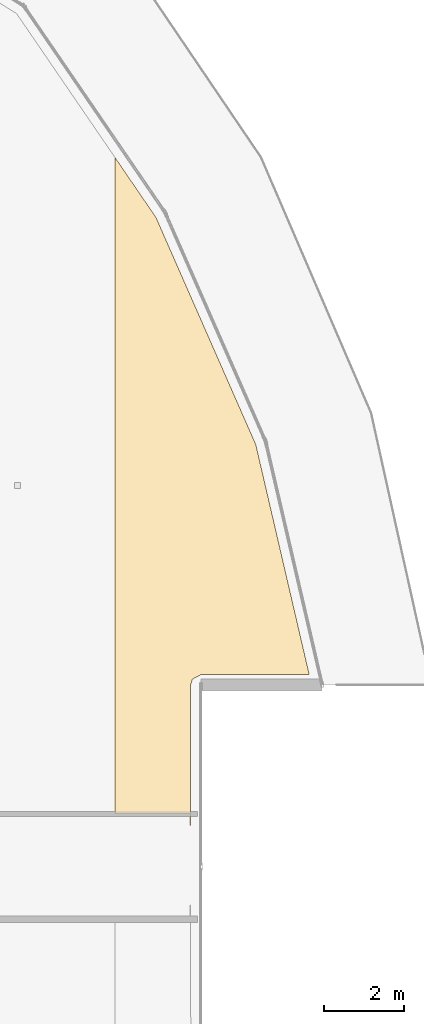
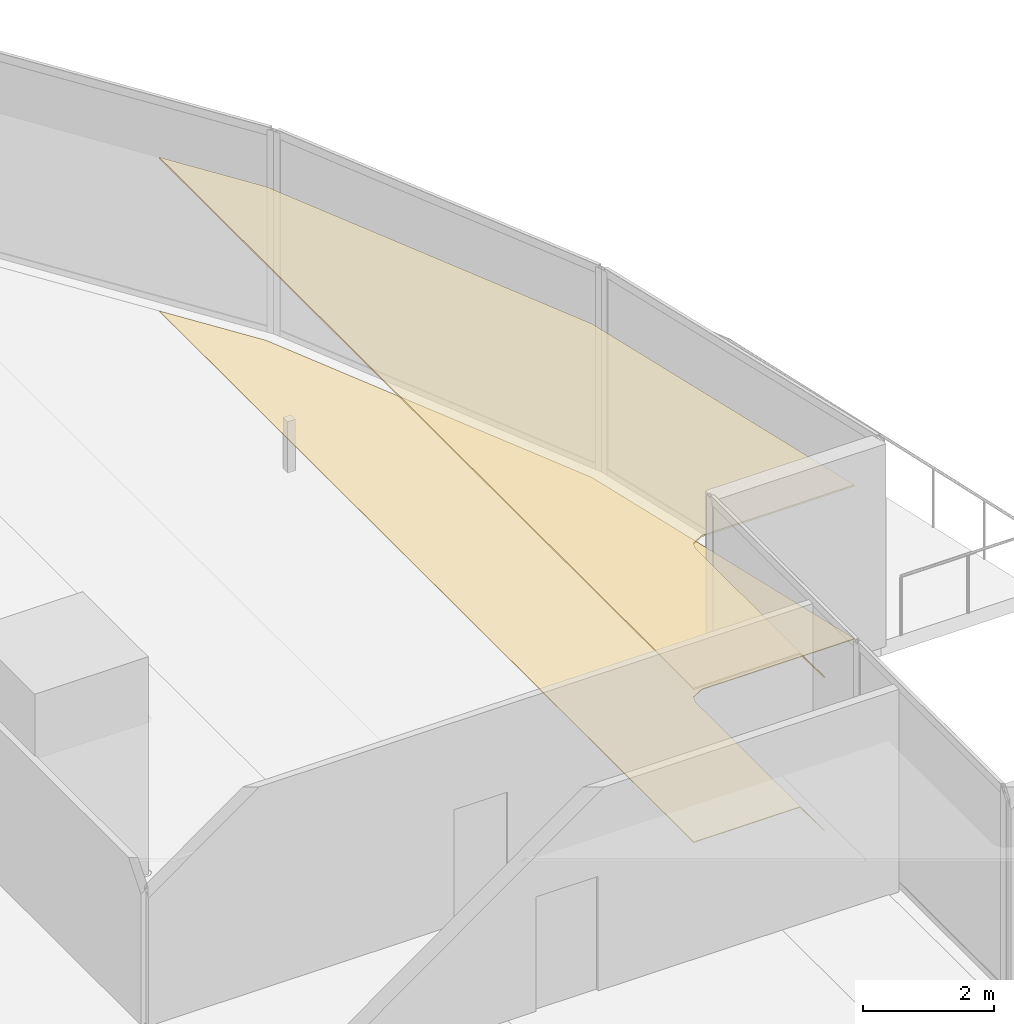
# One storey, part 39 of 39: 2 coverings.
"""IFC4 building model written with IfcOpenShell, lengths in metres."""

from ifc_helpers import new_model, si_unit, direction, frame, origin, place, context, subcontext, project, spatial, polyline, outline, extrude, material, layer, layer_set, type_object, element, save


model = new_model("IFC4")

# Units and contexts
model_context = context("Model", 3, precision=1e-05, world=origin(), true_north=direction((0.0, 1.0)))
body_context = subcontext(model_context, "Body", "Model", "MODEL_VIEW")
ifc_project = project(units=[si_unit("LENGTHUNIT", "METRE"), si_unit("AREAUNIT", "SQUARE_METRE"), si_unit("VOLUMEUNIT", "CUBIC_METRE"), si_unit("PLANEANGLEUNIT", "RADIAN"), si_unit("MASSUNIT", "GRAM", prefix="KILO")], contexts=[model_context])

# Site, building, storey
site_placement = place(None, origin())
site = spatial("IfcSite", under=ifc_project, at=site_placement, CompositionType="ELEMENT")
building_placement = place(site_placement, origin())
building = spatial("IfcBuilding", under=site, at=building_placement, Name="Qorvath Tower", CompositionType="ELEMENT")
storey_placement = place(building_placement, frame((0.0, 0.0, 201.0)))
storey = spatial("IfcBuildingStorey", under=building, at=storey_placement, Name="L46", CompositionType="ELEMENT", Elevation=201.0)

# Coverings
ifc_material_1 = material(Name="Acoustic mineral fibre ceiling tile", Category="gypsum")
ifc_layer_1 = layer(ifc_material_1, 0.030029296875)
ifc_layer_set_1 = layer_set([ifc_layer_1], Name="COV-CEIL")
covering_type_1 = type_object("IfcCoveringType", Name="COV-CEIL", PredefinedType="CEILING", material=ifc_layer_set_1)
covering_1_placement = place(storey_placement, frame((0.0, 0.0, 2.85009765625)))
element("IfcCovering", 1, at=covering_1_placement, inside=storey, type_object=covering_type_1, Name="L46 Suspended Acoustic Ceiling 023", PredefinedType="CEILING", context=body_context, shape_type="SweptSolid", body=[
    extrude(outline(polyline([(1.363037109375, 4.77490234375), (0.03466796875, 10.492919921875), (-2.446533203125, 16.139404296875), (-3.47021484375, 17.63623046875), (-3.47021484375, 1.31298828125), (-1.60107421875, 1.31298828125), (-1.583984375, 0.594482421875), (-1.583984375, 4.519775390625), (-1.541748046875, 4.66015625), (-1.3291015625, 4.77490234375), (1.363037109375, 4.77490234375)])), origin(), (0.0, 0.0, 1.0), 0.030029296875),
])
ifc_material_2 = material(Name="Low-VOC modular carpet tile", Category="textile")
ifc_layer_2 = layer(ifc_material_2, 0.014892578125)
ifc_layer_set_2 = layer_set([ifc_layer_2], Name="COV-FLOOR-CPT")
covering_type_2 = type_object("IfcCoveringType", Name="COV-FLOOR-CPT", PredefinedType="FLOORING", material=ifc_layer_set_2)
covering_2_placement = place(storey_placement, origin())
element("IfcCovering", 2, at=covering_2_placement, inside=storey, type_object=covering_type_2, Name="L46 Floor Finish 023", PredefinedType="FLOORING", context=body_context, shape_type="SweptSolid", body=[
    extrude(outline(polyline([(1.363037109375, 4.77490234375), (0.03466796875, 10.492919921875), (-2.446533203125, 16.139404296875), (-3.47021484375, 17.63623046875), (-3.47021484375, 1.31298828125), (-1.60107421875, 1.31298828125), (-1.583984375, 0.594482421875), (-1.583984375, 4.519775390625), (-1.541748046875, 4.66015625), (-1.3291015625, 4.77490234375), (1.363037109375, 4.77490234375)])), origin(), (0.0, 0.0, 1.0), 0.014892578125),
])

save(model, "model.ifc")
